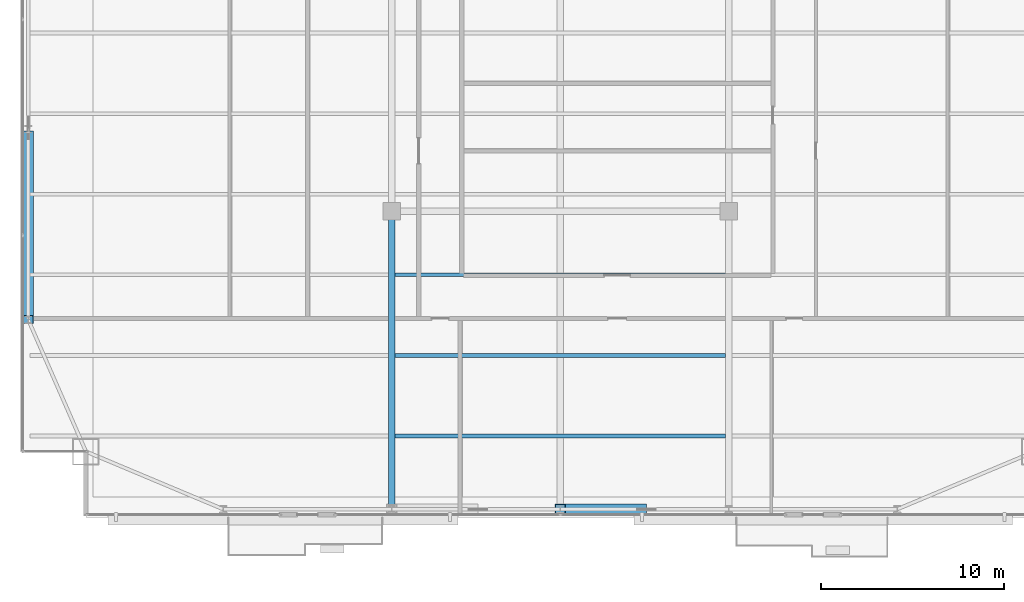
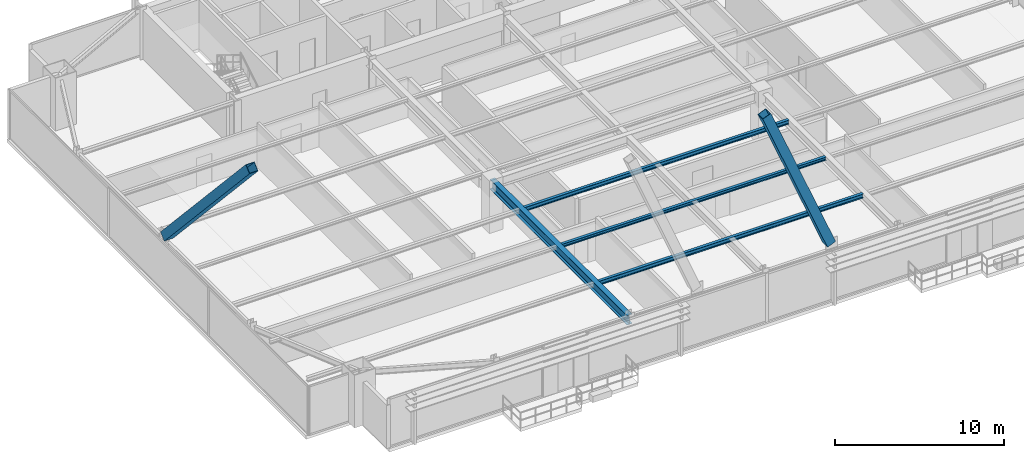
# One storey, part 7 of 37: 4 beams, 2 members.
"""IFC4 building model written with IfcOpenShell, lengths in metres."""

from ifc_helpers import new_model, si_unit, direction, frame, origin, origin_2d, place, context, subcontext, project, spatial, hollow_rectangle, i_section, extrude, source, transform, mapped, material, material_profile, profile_set, type_object, type_shapes, element, save


model = new_model("IFC4")

# Units and contexts
model_context = context("Model", 3, precision=1e-05, world=origin(), true_north=direction((0.0, 1.0)))
body_context = subcontext(model_context, "Body", "Model", "MODEL_VIEW")
ifc_project = project(units=[si_unit("LENGTHUNIT", "METRE"), si_unit("AREAUNIT", "SQUARE_METRE"), si_unit("VOLUMEUNIT", "CUBIC_METRE"), si_unit("PLANEANGLEUNIT", "RADIAN"), si_unit("MASSUNIT", "GRAM", prefix="KILO")], contexts=[model_context])

# Site, building, storey
site_placement = place(None, origin())
site = spatial("IfcSite", under=ifc_project, at=site_placement, CompositionType="ELEMENT")
building_placement = place(site_placement, origin())
building = spatial("IfcBuilding", under=site, at=building_placement, Name="Varnel Quay Broadcast Tower", CompositionType="ELEMENT")
storey_placement = place(building_placement, frame((0.0, 0.0, 125.800048828125)))
storey = spatial("IfcBuildingStorey", under=building, at=storey_placement, Name="L30", CompositionType="ELEMENT", Elevation=125.800048828125)

# Beams
ifc_material_1 = material(Name="Structural Steel CSA G40.21 350W", Category="steel")
ifc_material_profile_1 = material_profile(ifc_material_1, i_section(OverallWidth=0.35498046875, OverallDepth=0.695068359375, WebThickness=0.015380859375, FlangeThickness=0.02490234375, FilletRadius=0.01806640625, at=origin_2d()), Name="W690X217")
ifc_profile_set_1 = profile_set([ifc_material_profile_1], Name="Structural Steel CSA G40.21 350W")
beam_type_1 = type_object("IfcBeamType", Name="Girder_W690X217", PredefinedType="BEAM", material=ifc_profile_set_1)
shared_shape_1 = source(origin(), body_context, "Body", "SweptSolid", [
    extrude(i_section(OverallWidth=0.35498046875, OverallDepth=0.695068359375, WebThickness=0.015380859375, FlangeThickness=0.02490234375, FilletRadius=0.01806640625, at=origin_2d()), origin(), (0.0, 0.0, 1.0), 16.239990234375),
])
type_shapes(beam_type_1, [shared_shape_1])
beam_1_placement = place(storey_placement, frame((24.800048828125, 4.669921875, 3.202392578125), z_axis=(0.0, 1.0, 0.0), x_axis=(-1.0, 0.0, 0.0)))
element("IfcBeam", 1, at=beam_1_placement, inside=storey, type_object=beam_type_1, Name="L30 Primary Girder TC-S2-IC-01", PredefinedType="BEAM", context=body_context, shape_type="MappedRepresentation", body=[
    mapped(shared_shape_1, transform((0.0, 0.0, 0.0), x_axis=(1.0, 0.0, 0.0), y_axis=(0.0, 1.0, 0.0), z_axis=(0.0, 0.0, 1.0), scale=1.0)),
])
ifc_material_profile_2 = material_profile(ifc_material_1, i_section(OverallWidth=0.202880859375, OverallDepth=0.302978515625, WebThickness=0.007568359375, FlangeThickness=0.01318359375, FilletRadius=0.011962890625, at=origin_2d()), Name="W310X60")
ifc_profile_set_2 = profile_set([ifc_material_profile_2], Name="Structural Steel CSA G40.21 350W")
beam_type_2 = type_object("IfcBeamType", Name="Beam_W310X60", PredefinedType="JOIST", material=ifc_profile_set_2)
shared_shape_2 = source(origin(), body_context, "Body", "SweptSolid", [
    extrude(i_section(OverallWidth=0.202880859375, OverallDepth=0.302978515625, WebThickness=0.007568359375, FlangeThickness=0.01318359375, FilletRadius=0.011962890625, at=origin_2d()), origin(), (0.0, 0.0, 1.0), 18.05517578125),
])
type_shapes(beam_type_2, [shared_shape_2])
for number, where, z_axis, x_axis, name in (
    (2, (24.972412109375, 8.64990234375, 3.3984375), (1.0, 0.0, 0.0), (0.0, 1.0, 0.0), "L30 Central Floor Joist 1"),
    (3, (24.972412109375, 17.449951171875, 3.3984375), (1.0, 0.0, 0.0), (0.0, 1.0, 0.0), "L30 Central Floor Joist 3"),
):
    element("IfcBeam", number, at=place(storey_placement, frame(where, z_axis=z_axis, x_axis=x_axis)), inside=storey, type_object=beam_type_2, Name=name, PredefinedType="JOIST", context=body_context, shape_type="MappedRepresentation", body=[
        mapped(shared_shape_2, transform((0.0, 0.0, 0.0), x_axis=(1.0, 0.0, 0.0), y_axis=(0.0, 1.0, 0.0), z_axis=(0.0, 0.0, 1.0), scale=1.0)),
    ])
ifc_material_profile_3 = material_profile(ifc_material_1, i_section(OverallWidth=0.201904296875, OverallDepth=0.2470703125, WebThickness=0.00732421875, FlangeThickness=0.010986328125, FilletRadius=0.010986328125, at=origin_2d()), Name="W250X49")
ifc_profile_set_3 = profile_set([ifc_material_profile_3], Name="Structural Steel CSA G40.21 350W")
beam_type_3 = type_object("IfcBeamType", Name="Beam_W250X49", PredefinedType="JOIST", material=ifc_profile_set_3)
shared_shape_3 = source(origin(), body_context, "Body", "SweptSolid", [
    extrude(i_section(OverallWidth=0.201904296875, OverallDepth=0.2470703125, WebThickness=0.00732421875, FlangeThickness=0.010986328125, FilletRadius=0.010986328125, at=origin_2d()), origin(), (0.0, 0.0, 1.0), 18.05517578125),
])
type_shapes(beam_type_3, [shared_shape_3])
beam_2_placement = place(storey_placement, frame((24.972412109375, 13.050048828125, 3.426513671875), z_axis=(1.0, 0.0, 0.0), x_axis=(0.0, 1.0, 0.0)))
element("IfcBeam", 4, at=beam_2_placement, inside=storey, type_object=beam_type_3, Name="L30 Central Floor Joist 2", PredefinedType="JOIST", context=body_context, shape_type="MappedRepresentation", body=[
    mapped(shared_shape_3, transform((0.0, 0.0, 0.0), x_axis=(1.0, 0.0, 0.0), y_axis=(0.0, 1.0, 0.0), z_axis=(0.0, 0.0, 1.0), scale=1.0)),
])

# Members
ifc_material_2 = material(Name="Structural Steel CSA G40.21 350WT", Category="steel")
ifc_material_profile_4 = material_profile(ifc_material_2, hollow_rectangle(XDim=0.60009765625, YDim=0.60009765625, WallThickness=0.028076171875, at=origin_2d()), Name="BOX600X600X28")
ifc_profile_set_4 = profile_set([ifc_material_profile_4], Name="Structural Steel CSA G40.21 350WT")
member_type = type_object("IfcMemberType", Name="Brace_BOX600X600X28", PredefinedType="BRACE", material=ifc_profile_set_4)
shared_shape_4 = source(origin(), body_context, "Body", "SweptSolid", [
    extrude(hollow_rectangle(XDim=0.60009765625, YDim=0.60009765625, WallThickness=0.028076171875, at=origin_2d()), origin(), (0.0, 0.0, 1.0), 11.673828125),
])
member_1_placement = place(storey_placement, frame((38.428466796875, 4.64990234375, 4.05859375), z_axis=(-0.379349342289, 0.0, 0.925253520126), x_axis=(0.0, -1.0, 0.0)))
element("IfcMember", 5, at=member_1_placement, inside=storey, type_object=member_type, Name="Zone 2 Mega-Brace S-C2T3 Split Diag B2", PredefinedType="BRACE", context=body_context, shape_type="MappedRepresentation", body=[
    mapped(shared_shape_4, transform((0.0, 0.0, 0.0), x_axis=(1.0, 0.0, 0.0), y_axis=(0.0, 1.0, 0.0), z_axis=(0.0, 0.0, 1.0), scale=1.0)),
])
shared_shape_5 = source(origin(), body_context, "Body", "SweptSolid", [
    extrude(hollow_rectangle(XDim=0.60009765625, YDim=0.60009765625, WallThickness=0.028076171875, at=origin_2d()), origin(), (0.0, 0.0, 1.0), 14.90478515625),
])
type_shapes(member_type, [shared_shape_4, shared_shape_5])
member_2_placement = place(storey_placement, frame((4.949951171875, 25.07958984375, 3.880126953125), z_axis=(0.0, -0.676265172552, 0.736658276539), x_axis=(1.0, 0.0, 0.0)))
element("IfcMember", 6, at=member_2_placement, inside=storey, type_object=member_type, Name="Zone 2 Mega-Brace W-FT3 Split Diag B2", PredefinedType="BRACE", context=body_context, shape_type="MappedRepresentation", body=[
    mapped(shared_shape_5, transform((0.0, 0.0, 0.0), x_axis=(1.0, 0.0, 0.0), y_axis=(0.0, 1.0, 0.0), z_axis=(0.0, 0.0, 1.0), scale=1.0)),
])

save(model, "model.ifc")
